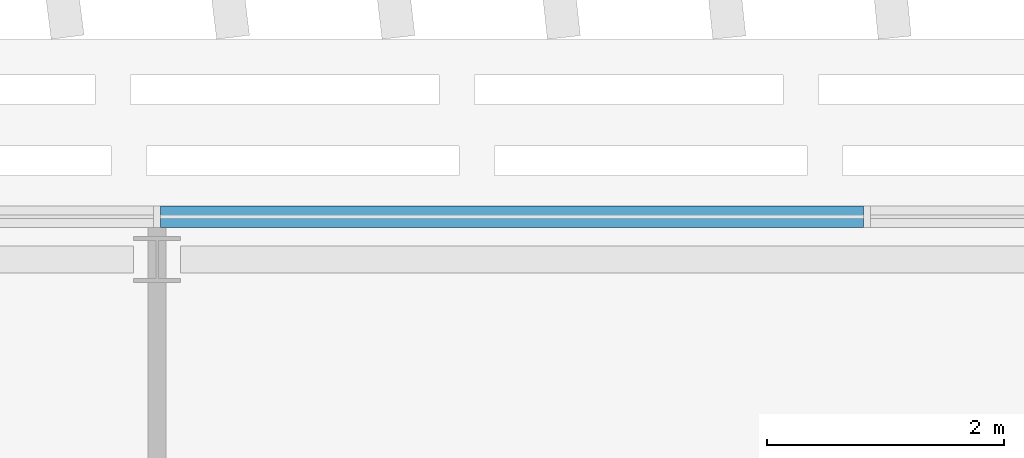
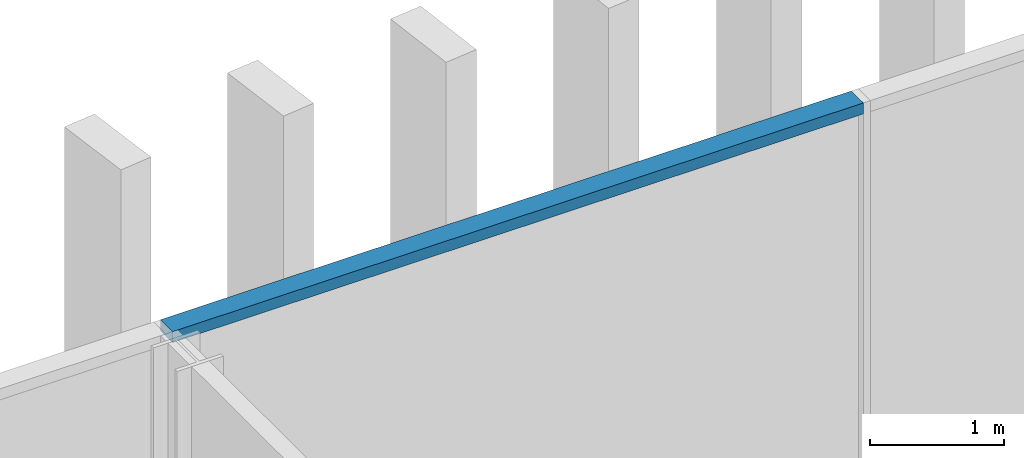
# One storey, part 11 of 35: 1 member, 1 element without a shape of its own.
"""IFC4 building model written with IfcOpenShell, lengths in metres."""

from ifc_helpers import new_model, si_unit, direction, frame, origin, origin_2d, place, context, subcontext, project, spatial, rectangle, extrude, material, material_profile, profile_set, type_object, element, aggregate, save


model = new_model("IFC4")

# Units and contexts
model_context = context("Model", 3, precision=1e-05, world=origin(), true_north=direction((0.0, 1.0)))
body_context = subcontext(model_context, "Body", "Model", "MODEL_VIEW")
ifc_project = project(units=[si_unit("LENGTHUNIT", "METRE"), si_unit("AREAUNIT", "SQUARE_METRE"), si_unit("VOLUMEUNIT", "CUBIC_METRE"), si_unit("PLANEANGLEUNIT", "RADIAN"), si_unit("MASSUNIT", "GRAM", prefix="KILO")], contexts=[model_context])

# Site, building, storey
site_placement = place(None, origin())
site = spatial("IfcSite", under=ifc_project, at=site_placement, CompositionType="ELEMENT")
building_placement = place(site_placement, origin())
building = spatial("IfcBuilding", under=site, at=building_placement, Name="Mahtab Terrace Research Tower", CompositionType="ELEMENT")
storey_placement = place(building_placement, frame((0.0, 0.0, 251.39990234375)))
storey = spatial("IfcBuildingStorey", under=building, at=storey_placement, Name="L61", CompositionType="ELEMENT", Elevation=251.39990234375)

# Curtain wall, member
ifc_material_1 = material(Name="Office ribbon curtain wall")
curtain_wall_type = type_object("IfcCurtainWallType", Name="Office ribbon curtain wall", PredefinedType="NOTDEFINED", material=ifc_material_1)
curtain_wall_placement = place(storey_placement, origin())
curtain_wall = element("IfcCurtainWall", 1, at=curtain_wall_placement, inside=storey, type_object=curtain_wall_type, Name="EN.L61.3.4", PredefinedType="NOTDEFINED")
ifc_material_2 = material(Name="Natural anodised aluminium", Category="aluminium")
ifc_material_profile = material_profile(ifc_material_2, rectangle(XDim=0.179931640625, YDim=0.10009765625, at=origin_2d()), Name="TRANSOM 100x180")
ifc_profile_set = profile_set([ifc_material_profile], Name="Natural anodised aluminium")
member_type = type_object("IfcMemberType", Name="Office ribbon curtain wall transom", PredefinedType="USERDEFINED", material=ifc_profile_set)
member_placement = place(storey_placement, frame((23.969970703125, 26.833984375, 3.41015625), z_axis=(-1.0, 0.0, 0.0), x_axis=(0.0, -1.0, 0.0)))
member = element("IfcMember", 2, at=member_placement, type_object=member_type, Name="CWO-7 transom 5", ObjectType="TRANSOM", PredefinedType="USERDEFINED", context=body_context, shape_type="SweptSolid", body=[
    extrude(rectangle(XDim=0.179931640625, YDim=0.10009765625, at=origin_2d()), origin(), (0.0, 0.0, 1.0), 5.93994140625),
])
aggregate(curtain_wall, [member])

save(model, "model.ifc")
